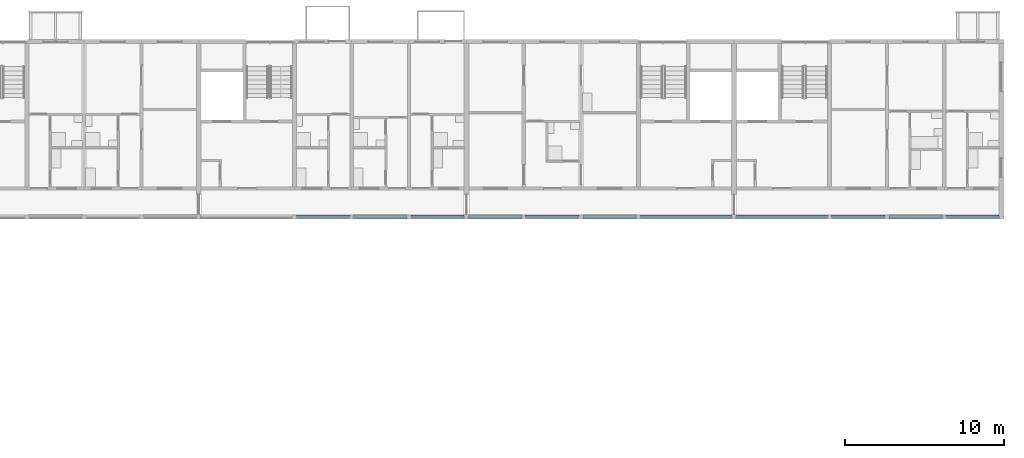
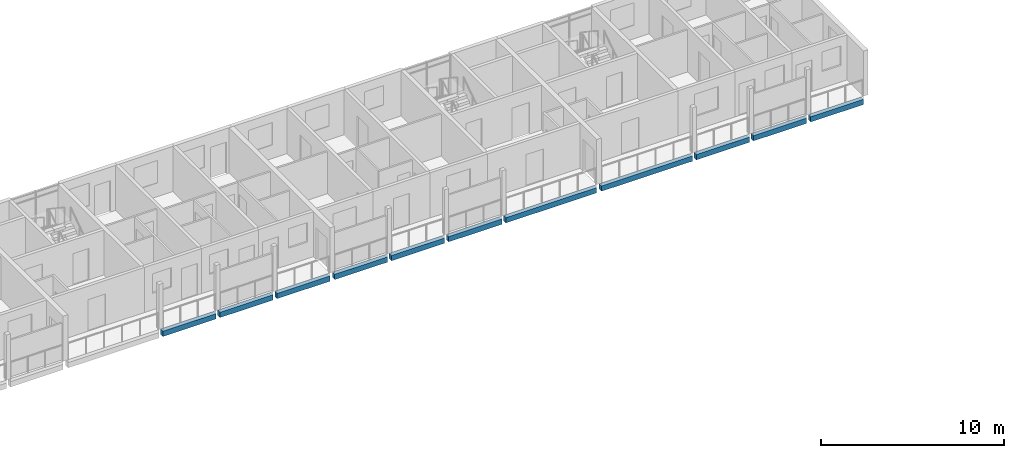
# One storey, part 20 of 98: 11 beams.
"""IFC4 building model written with IfcOpenShell, lengths in metres."""

from ifc_helpers import new_model, si_unit, direction, frame, origin, origin_2d, place, context, subcontext, project, spatial, rectangle, extrude, material, material_profile, profile_set, type_object, element, save


model = new_model("IFC4")

# Units and contexts
model_context = context("Model", 3, precision=1e-05, world=origin(), true_north=direction((0.0, 1.0)))
body_context = subcontext(model_context, "Body", "Model", "MODEL_VIEW")
ifc_project = project(units=[si_unit("LENGTHUNIT", "METRE"), si_unit("AREAUNIT", "SQUARE_METRE"), si_unit("VOLUMEUNIT", "CUBIC_METRE"), si_unit("PLANEANGLEUNIT", "RADIAN"), si_unit("MASSUNIT", "GRAM", prefix="KILO")], contexts=[model_context])

# Site, building, storey
site_placement = place(None, origin())
site = spatial("IfcSite", under=ifc_project, at=site_placement, CompositionType="ELEMENT")
building_placement = place(site_placement, origin())
building = spatial("IfcBuilding", under=site, at=building_placement, Name="Ridgestep Commons", CompositionType="ELEMENT")
storey_placement = place(building_placement, frame((0.0, 0.0, 12.0)))
storey = spatial("IfcBuildingStorey", under=building, at=storey_placement, Name="L04", CompositionType="ELEMENT", Elevation=12.0)

# Beams
ifc_material = material(Name="Precast concrete C40/50", Category="concrete")
ifc_material_profile = material_profile(ifc_material, rectangle(XDim=0.25, YDim=0.35009765625, at=origin_2d()), Name="PC 250x350")
ifc_profile_set = profile_set([ifc_material_profile], Name="Precast concrete C40/50")
beam_type = type_object("IfcBeamType", Name="Loggia edge beam 250 x 350", PredefinedType="SPANDREL", material=ifc_profile_set)
beam_1_placement = place(storey_placement, frame((203.324951171875, 66.125, -0.375), z_axis=(1.0, 0.0, 0.0), x_axis=(0.0, 1.0, 0.0)))
element("IfcBeam", 1, at=beam_1_placement, inside=storey, type_object=beam_type, Name="Loggia edge beam C4T3 L04", PredefinedType="SPANDREL", context=body_context, shape_type="SweptSolid", body=[
    extrude(rectangle(XDim=0.25, YDim=0.35009765625, at=origin_2d()), origin(), (0.0, 0.0, 1.0), 3.35009765625),
])
beam_2_placement = place(storey_placement, frame((206.925048828125, 66.125, -0.375), z_axis=(1.0, 0.0, 0.0), x_axis=(0.0, 1.0, 0.0)))
element("IfcBeam", 2, at=beam_2_placement, inside=storey, type_object=beam_type, Name="Loggia edge beam C4T2 L04", PredefinedType="SPANDREL", context=body_context, shape_type="SweptSolid", body=[
    extrude(rectangle(XDim=0.25, YDim=0.35009765625, at=origin_2d()), origin(), (0.0, 0.0, 1.0), 3.349853515625),
])
for number, where, z_axis, x_axis, name in (
    (3, (210.52490234375, 66.125, -0.375), (1.0, 0.0, 0.0), (0.0, 1.0, 0.0), "Loggia edge beam C4T1 L04"),
    (4, (214.14990234375, 66.125, -0.375), (1.0, 0.0, 0.0), (0.0, 1.0, 0.0), "Loggia edge beam C5T1 L04"),
):
    element("IfcBeam", number, at=place(storey_placement, frame(where, z_axis=z_axis, x_axis=x_axis)), inside=storey, type_object=beam_type, Name=name, PredefinedType="SPANDREL", context=body_context, shape_type="SweptSolid", body=[
        extrude(rectangle(XDim=0.25, YDim=0.35009765625, at=origin_2d()), origin(), (0.0, 0.0, 1.0), 3.3251953125),
    ])
beam_3_placement = place(storey_placement, frame((217.72509765625, 66.125, -0.375), z_axis=(1.0, 0.0, 0.0), x_axis=(0.0, 1.0, 0.0)))
element("IfcBeam", 5, at=beam_3_placement, inside=storey, type_object=beam_type, Name="Loggia edge beam C5T2 L04", PredefinedType="SPANDREL", context=body_context, shape_type="SweptSolid", body=[
    extrude(rectangle(XDim=0.25, YDim=0.35009765625, at=origin_2d()), origin(), (0.0, 0.0, 1.0), 3.349853515625),
])
beam_4_placement = place(storey_placement, frame((221.324951171875, 66.125, -0.375), z_axis=(1.0, 0.0, 0.0), x_axis=(0.0, 1.0, 0.0)))
element("IfcBeam", 6, at=beam_4_placement, inside=storey, type_object=beam_type, Name="Loggia edge beam C5T3 L04", PredefinedType="SPANDREL", context=body_context, shape_type="SweptSolid", body=[
    extrude(rectangle(XDim=0.25, YDim=0.35009765625, at=origin_2d()), origin(), (0.0, 0.0, 1.0), 3.35009765625),
])
beam_5_placement = place(storey_placement, frame((224.925048828125, 66.125, -0.375), z_axis=(1.0, 0.0, 0.0), x_axis=(0.0, 1.0, 0.0)))
element("IfcBeam", 7, at=beam_5_placement, inside=storey, type_object=beam_type, Name="Loggia edge beam C5C L04", PredefinedType="SPANDREL", context=body_context, shape_type="SweptSolid", body=[
    extrude(rectangle(XDim=0.25, YDim=0.35009765625, at=origin_2d()), origin(), (0.0, 0.0, 1.0), 5.724853515625),
])
beam_6_placement = place(storey_placement, frame((230.949951171875, 66.125, -0.375), z_axis=(1.0, 0.0, 0.0), x_axis=(0.0, 1.0, 0.0)))
element("IfcBeam", 8, at=beam_6_placement, inside=storey, type_object=beam_type, Name="Loggia edge beam C6C L04", PredefinedType="SPANDREL", context=body_context, shape_type="SweptSolid", body=[
    extrude(rectangle(XDim=0.25, YDim=0.35009765625, at=origin_2d()), origin(), (0.0, 0.0, 1.0), 5.72509765625),
])
beam_7_placement = place(storey_placement, frame((236.925048828125, 66.125, -0.375), z_axis=(1.0, 0.0, 0.0), x_axis=(0.0, 1.0, 0.0)))
element("IfcBeam", 9, at=beam_7_placement, inside=storey, type_object=beam_type, Name="Loggia edge beam C6T3 L04", PredefinedType="SPANDREL", context=body_context, shape_type="SweptSolid", body=[
    extrude(rectangle(XDim=0.25, YDim=0.35009765625, at=origin_2d()), origin(), (0.0, 0.0, 1.0), 3.349853515625),
])
beam_8_placement = place(storey_placement, frame((240.52490234375, 66.125, -0.375), z_axis=(1.0, 0.0, 0.0), x_axis=(0.0, 1.0, 0.0)))
element("IfcBeam", 10, at=beam_8_placement, inside=storey, type_object=beam_type, Name="Loggia edge beam C6T2 L04", PredefinedType="SPANDREL", context=body_context, shape_type="SweptSolid", body=[
    extrude(rectangle(XDim=0.25, YDim=0.35009765625, at=origin_2d()), origin(), (0.0, 0.0, 1.0), 3.35009765625),
])
beam_9_placement = place(storey_placement, frame((244.125, 66.125, -0.375), z_axis=(1.0, 0.0, 0.0), x_axis=(0.0, 1.0, 0.0)))
element("IfcBeam", 11, at=beam_9_placement, inside=storey, type_object=beam_type, Name="Loggia edge beam C6T1 L04", PredefinedType="SPANDREL", context=body_context, shape_type="SweptSolid", body=[
    extrude(rectangle(XDim=0.25, YDim=0.35009765625, at=origin_2d()), origin(), (0.0, 0.0, 1.0), 3.324951171875),
])

save(model, "model.ifc")
